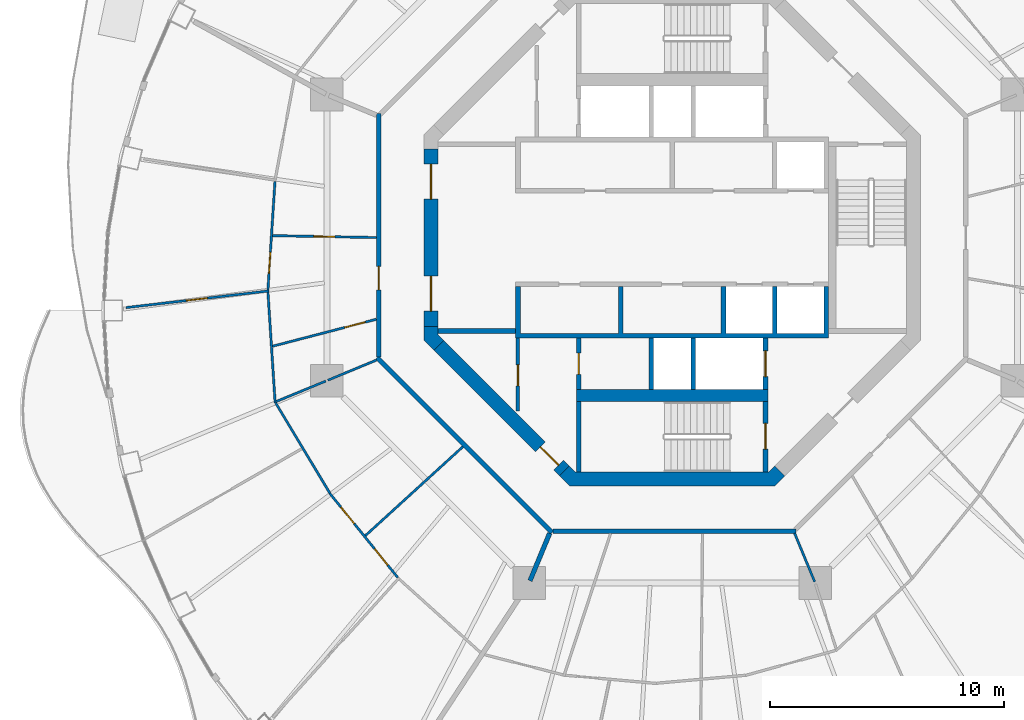
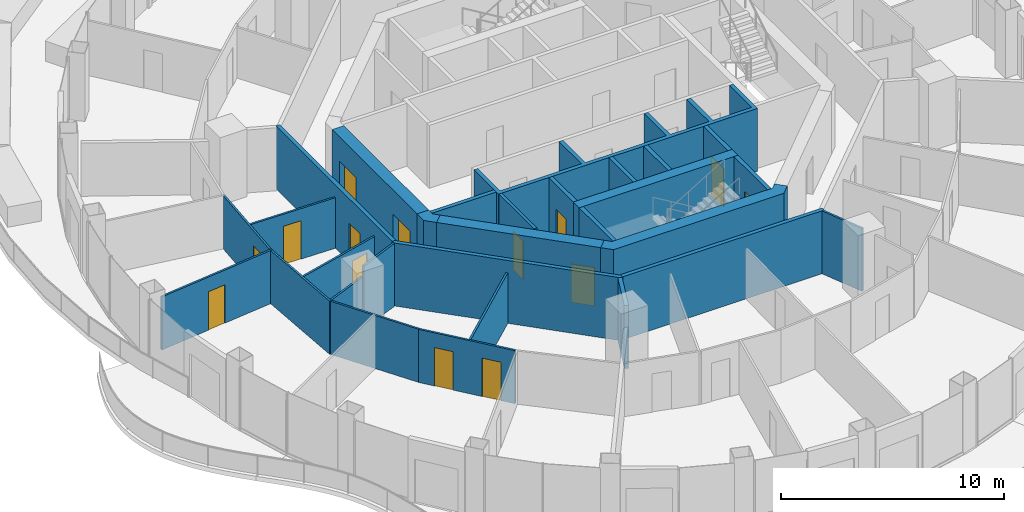
# One storey, part 10 of 17: 29 walls, 14 doors, 14 openings.
"""IFC4 building model written with IfcOpenShell, lengths in metres."""

from ifc_helpers import new_model, si_unit, direction, frame, frame_2d, origin, place, context, subcontext, project, spatial, polyline, rectangle, outline, extrude, material, layer, layer_set, type_object, element, fill, save


model = new_model("IFC4")

# Units and contexts
model_context = context("Model", 3, precision=1e-05, world=origin(), true_north=direction((0.0, 1.0)))
body_context = subcontext(model_context, "Body", "Model", "MODEL_VIEW")
ifc_project = project(units=[si_unit("LENGTHUNIT", "METRE"), si_unit("AREAUNIT", "SQUARE_METRE"), si_unit("VOLUMEUNIT", "CUBIC_METRE"), si_unit("PLANEANGLEUNIT", "RADIAN"), si_unit("MASSUNIT", "GRAM", prefix="KILO")], contexts=[model_context])

# Site, building, storey
site_placement = place(None, origin())
site = spatial("IfcSite", under=ifc_project, at=site_placement, CompositionType="ELEMENT")
building_placement = place(site_placement, origin())
building = spatial("IfcBuilding", under=site, at=building_placement, Name="Nagisa Residences", CompositionType="ELEMENT")
storey_placement = place(building_placement, frame((0.0, 0.0, 258.5)))
storey = spatial("IfcBuildingStorey", under=building, at=storey_placement, Name="L65", CompositionType="ELEMENT", Elevation=258.5)

# Wall
ifc_material_1 = material(Name="Gypsum board on steel studs", Category="steel")
ifc_layer_1 = layer(ifc_material_1, 0.199951171875)
ifc_layer_set_1 = layer_set([ifc_layer_1], Name="Apartment compartment wall EI60 200")
wall_type_1 = type_object("IfcWallType", Name="Apartment compartment wall EI60 200", PredefinedType="PARTITIONING", material=ifc_layer_set_1)
wall_1_placement = place(storey_placement, frame((-5.24267578125, -12.6572265625, 0.0), z_axis=(0.0, 0.0, 1.0), x_axis=(-0.382770106157, -0.923843626288, 0.0)))
element("IfcWall", 1, at=wall_1_placement, inside=storey, type_object=wall_type_1, Name="wall:L65:u04", PredefinedType="PARTITIONING", context=body_context, shape_type="SweptSolid", body=[
    extrude(rectangle(XDim=2.19921875, YDim=0.199951171875, at=frame_2d((1.099609375, 0.0))), origin(), (0.0, 0.0, 1.0), 3.43994140625),
])

# Wall, opening, door
ifc_material_2 = material(Name="Gypsum board on steel studs", Category="steel")
ifc_layer_2 = layer(ifc_material_2, 0.199951171875)
ifc_layer_set_2 = layer_set([ifc_layer_2], Name="Apartment entry wall EI60 200")
wall_type_2 = type_object("IfcWallType", Name="Apartment entry wall EI60 200", PredefinedType="PARTITIONING", material=ifc_layer_set_2)
wall_2_placement = place(storey_placement, frame((-12.564697265625, 5.304443359375, 0.0), z_axis=(0.0, 0.0, 1.0), x_axis=(0.0, -1.0, 0.0)))
wall_2 = element("IfcWall", 2, at=wall_2_placement, inside=storey, type_object=wall_type_2, Name="wall:L65:u12", PredefinedType="PARTITIONING", context=body_context, shape_type="SweptSolid", body=[
    extrude(rectangle(XDim=10.408935546875, YDim=0.199951171875, at=frame_2d((5.20458984375, 0.0))), origin(), (0.0, 0.0, 1.0), 3.43994140625),
])
opening_1_placement = place(wall_2_placement, frame((6.539306640625, 0.0, 0.0)))
opening_1 = element("IfcOpeningElement", 3, at=opening_1_placement, cuts=wall_2, Name="Opening L65-U18", PredefinedType="OPENING", context=body_context, shape_type="SweptSolid", body=[
    extrude(rectangle(XDim=1.0, YDim=2.10009765625, at=frame_2d((0.5, 1.050048828125))), frame((0.0, 0.10986328125, 0.0), z_axis=(0.0, -1.0, 0.0), x_axis=(1.0, 0.0, 0.0)), (0.0, 0.0, 1.0), 0.219970703125),
])
ifc_material_3 = material(Name="Timber fire door set", Category="wood")
door_type_1 = type_object("IfcDoorType", Name="Apartment entry door FD30S 1000x2100", OperationType="NOTDEFINED", PredefinedType="DOOR", material=ifc_material_3)
door_1_placement = place(opening_1_placement, frame((1.0, 0.0, 0.0), x_axis=(-1.0, 0.0, 0.0)))
door_1 = element("IfcDoor", 4, at=door_1_placement, inside=storey, type_object=door_type_1, Name="Entry door, Apartment 65C", OperationType="SINGLE_SWING_LEFT", OverallHeight=2.10009765625, OverallWidth=1.0, PredefinedType="DOOR", context=body_context, shape_type="SweptSolid", body=[
    extrude(rectangle(XDim=1.0, YDim=2.10009765625, at=frame_2d((0.5, 1.050048828125))), frame((0.0, 0.02490234375, 0.0), z_axis=(0.0, -1.0, 0.0), x_axis=(1.0, 0.0, 0.0)), (0.0, 0.0, 1.0), 0.050048828125),
])
fill(opening_1, door_1)

# Walls
wall_3_placement = place(storey_placement, frame((-12.635498046875, -5.1337890625, 0.0), z_axis=(0.0, 0.0, 1.0), x_axis=(0.707106781187, -0.707106781187, 0.0)))
element("IfcWall", 5, at=wall_3_placement, inside=storey, type_object=wall_type_2, Name="wall:L65:u13", PredefinedType="PARTITIONING", context=body_context, shape_type="SweptSolid", body=[
    extrude(rectangle(XDim=10.609130859375, YDim=0.199951171875, at=frame_2d((5.3046875, 0.0))), origin(), (0.0, 0.0, 1.0), 3.43994140625),
])
wall_4_placement = place(storey_placement, frame((-5.1044921875, -12.564697265625, 0.0), z_axis=(0.0, 0.0, 1.0), x_axis=(1.0, 0.0, 0.0)))
element("IfcWall", 6, at=wall_4_placement, inside=storey, type_object=wall_type_2, Name="wall:L65:u14", PredefinedType="PARTITIONING", context=body_context, shape_type="SweptSolid", body=[
    extrude(rectangle(XDim=10.408935546875, YDim=0.199951171875, at=frame_2d((5.20458984375, 0.0))), origin(), (0.0, 0.0, 1.0), 3.43994140625),
])

# Wall, opening, door
ifc_material_4 = material(Name="Gypsum board on steel studs", Category="steel")
ifc_layer_3 = layer(ifc_material_4, 0.10009765625)
ifc_layer_set_3 = layer_set([ifc_layer_3], Name="Apartment partition 100")
wall_type_3 = type_object("IfcWallType", Name="Apartment partition 100", PredefinedType="PARTITIONING", material=ifc_layer_set_3)
wall_5_placement = place(storey_placement, frame((-17.001708984375, 2.40869140625, 0.0), z_axis=(0.0, 0.0, 1.0), x_axis=(-0.064855550758, -0.997894662545, 0.0)))
wall_5 = element("IfcWall", 7, at=wall_5_placement, inside=storey, type_object=wall_type_3, Name="wall:L65:u41", PredefinedType="PARTITIONING", context=body_context, shape_type="SweptSolid", body=[
    extrude(rectangle(XDim=4.656494140625, YDim=0.10009765625, at=frame_2d((2.328125, 0.0))), origin(), (0.0, 0.0, 1.0), 2.905029296875),
])
opening_2_placement = place(wall_5_placement, frame((3.04248046875, 0.0, 0.0)))
opening_2 = element("IfcOpeningElement", 8, at=opening_2_placement, cuts=wall_5, Name="Opening L65-U22", PredefinedType="OPENING", context=body_context, shape_type="SweptSolid", body=[
    extrude(rectangle(XDim=0.89990234375, YDim=2.10009765625, at=frame_2d((0.449951171875, 1.050048828125))), frame((0.0, 0.06005859375, 0.0), z_axis=(0.0, -1.0, 0.0), x_axis=(1.0, 0.0, 0.0)), (0.0, 0.0, 1.0), 0.1201171875),
])
ifc_material_5 = material(Name="Timber door set", Category="wood")
door_type_2 = type_object("IfcDoorType", Name="Apartment door 900x2100", OperationType="NOTDEFINED", PredefinedType="DOOR", material=ifc_material_5)
door_2_placement = place(opening_2_placement, frame((0.89990234375, 0.0, 0.0), x_axis=(-1.0, 0.0, 0.0)))
door_2 = element("IfcDoor", 9, at=door_2_placement, inside=storey, type_object=door_type_2, Name="Door to kitchen, Apartment 65C", OperationType="SINGLE_SWING_LEFT", OverallHeight=2.10009765625, OverallWidth=0.89990234375, PredefinedType="DOOR", context=body_context, shape_type="SweptSolid", body=[
    extrude(rectangle(XDim=0.89990234375, YDim=2.10009765625, at=frame_2d((0.449951171875, 1.050048828125))), frame((0.0, 0.02490234375, 0.0), z_axis=(0.0, -1.0, 0.0), x_axis=(1.0, 0.0, 0.0)), (0.0, 0.0, 1.0), 0.050048828125),
])
fill(opening_2, door_2)

wall_6_placement = place(storey_placement, frame((-12.664794921875, 0.001953125, 0.0), z_axis=(0.0, 0.0, 1.0), x_axis=(-0.999827178165, 0.018590691287, 0.0)))
wall_6 = element("IfcWall", 10, at=wall_6_placement, inside=storey, type_object=wall_type_3, Name="wall:L65:u42", PredefinedType="PARTITIONING", context=body_context, shape_type="SweptSolid", body=[
    extrude(rectangle(XDim=4.438720703125, YDim=0.10009765625, at=frame_2d((2.21923828125, 0.0))), origin(), (0.0, 0.0, 1.0), 2.761962890625),
])
opening_3_placement = place(wall_6_placement, frame((1.769287109375, 0.0, 0.0)))
opening_3 = element("IfcOpeningElement", 11, at=opening_3_placement, cuts=wall_6, Name="Opening L65-U19", PredefinedType="OPENING", context=body_context, shape_type="SweptSolid", body=[
    extrude(rectangle(XDim=0.89990234375, YDim=2.10009765625, at=frame_2d((0.449951171875, 1.050048828125))), frame((0.0, 0.06005859375, 0.0), z_axis=(0.0, -1.0, 0.0), x_axis=(1.0, 0.0, 0.0)), (0.0, 0.0, 1.0), 0.1201171875),
])
door_3_placement = place(opening_3_placement, frame((0.89990234375, 0.0, 0.0), x_axis=(-1.0, 0.0, 0.0)))
door_3 = element("IfcDoor", 12, at=door_3_placement, inside=storey, type_object=door_type_2, Name="Door to laundry, Apartment 65C", OperationType="SINGLE_SWING_RIGHT", OverallHeight=2.10009765625, OverallWidth=0.89990234375, PredefinedType="DOOR", context=body_context, shape_type="SweptSolid", body=[
    extrude(rectangle(XDim=0.89990234375, YDim=2.10009765625, at=frame_2d((0.449951171875, 1.050048828125))), frame((0.0, 0.02490234375, 0.0), z_axis=(0.0, -1.0, 0.0), x_axis=(1.0, 0.0, 0.0)), (0.0, 0.0, 1.0), 0.050048828125),
])
fill(opening_3, door_3)

wall_7_placement = place(storey_placement, frame((-17.257080078125, -2.2822265625, 0.0), z_axis=(0.0, 0.0, 1.0), x_axis=(-0.993266024162, -0.11585596767, 0.0)))
wall_7 = element("IfcWall", 13, at=wall_7_placement, inside=storey, type_object=wall_type_3, Name="wall:L65:u43", PredefinedType="PARTITIONING", context=body_context, shape_type="SweptSolid", body=[
    extrude(rectangle(XDim=6.16796875, YDim=0.10009765625, at=frame_2d((3.083984375, 0.0))), origin(), (0.0, 0.0, 1.0), 2.905029296875),
])
opening_4_placement = place(wall_7_placement, frame((2.658935546875, 0.0, 0.0)))
opening_4 = element("IfcOpeningElement", 14, at=opening_4_placement, cuts=wall_7, Name="Opening L65-U23", PredefinedType="OPENING", context=body_context, shape_type="SweptSolid", body=[
    extrude(rectangle(XDim=0.89990234375, YDim=2.10009765625, at=frame_2d((0.449951171875, 1.050048828125))), frame((0.0, 0.06005859375, 0.0), z_axis=(0.0, -1.0, 0.0), x_axis=(1.0, 0.0, 0.0)), (0.0, 0.0, 1.0), 0.1201171875),
])
door_4_placement = place(opening_4_placement, origin())
door_4 = element("IfcDoor", 15, at=door_4_placement, inside=storey, type_object=door_type_2, Name="Door to dining room, Apartment 65C", OperationType="SINGLE_SWING_LEFT", OverallHeight=2.10009765625, OverallWidth=0.89990234375, PredefinedType="DOOR", context=body_context, shape_type="SweptSolid", body=[
    extrude(rectangle(XDim=0.89990234375, YDim=2.10009765625, at=frame_2d((0.449951171875, 1.050048828125))), frame((0.0, 0.02490234375, 0.0), z_axis=(0.0, -1.0, 0.0), x_axis=(1.0, 0.0, 0.0)), (0.0, 0.0, 1.0), 0.050048828125),
])
fill(opening_4, door_4)

# Wall
wall_8_placement = place(storey_placement, frame((-17.3037109375, -2.337890625, 0.0), z_axis=(0.0, 0.0, 1.0), x_axis=(0.065003615989, -0.997885028402, 0.0)))
element("IfcWall", 16, at=wall_8_placement, inside=storey, type_object=wall_type_3, Name="wall:L65:u44", PredefinedType="PARTITIONING", context=body_context, shape_type="SweptSolid", body=[
    extrude(rectangle(XDim=4.758544921875, YDim=0.10009765625, at=frame_2d((2.37939453125, 0.0))), origin(), (0.0, 0.0, 1.0), 2.905029296875),
])

# Wall, opening, door
wall_9_placement = place(storey_placement, frame((-12.66162109375, -3.494873046875, 0.0), z_axis=(0.0, 0.0, 1.0), x_axis=(-0.967834941053, -0.251586022817, 0.0)))
wall_9 = element("IfcWall", 17, at=wall_9_placement, inside=storey, type_object=wall_type_3, Name="wall:L65:u45", PredefinedType="PARTITIONING", context=body_context, shape_type="SweptSolid", body=[
    extrude(rectangle(XDim=4.590087890625, YDim=0.10009765625, at=frame_2d((2.294921875, 0.0))), origin(), (0.0, 0.0, 1.0), 2.761962890625),
])
opening_5_placement = place(wall_9_placement, frame((0.49951171875, 0.0, 0.0)))
opening_5 = element("IfcOpeningElement", 18, at=opening_5_placement, cuts=wall_9, Name="Opening L65-U20", PredefinedType="OPENING", context=body_context, shape_type="SweptSolid", body=[
    extrude(rectangle(XDim=0.89990234375, YDim=2.10009765625, at=frame_2d((0.449951171875, 1.050048828125))), frame((0.0, 0.06005859375, 0.0), z_axis=(0.0, -1.0, 0.0), x_axis=(1.0, 0.0, 0.0)), (0.0, 0.0, 1.0), 0.1201171875),
])
door_5_placement = place(opening_5_placement, origin())
door_5 = element("IfcDoor", 19, at=door_5_placement, inside=storey, type_object=door_type_2, Name="Door to family bathroom, Apartment 65C", OperationType="SINGLE_SWING_RIGHT", OverallHeight=2.10009765625, OverallWidth=0.89990234375, PredefinedType="DOOR", context=body_context, shape_type="SweptSolid", body=[
    extrude(rectangle(XDim=0.89990234375, YDim=2.10009765625, at=frame_2d((0.449951171875, 1.050048828125))), frame((0.0, 0.02490234375, 0.0), z_axis=(0.0, -1.0, 0.0), x_axis=(1.0, 0.0, 0.0)), (0.0, 0.0, 1.0), 0.050048828125),
])
fill(opening_5, door_5)

# Walls
wall_10_placement = place(storey_placement, frame((-12.6572265625, -5.24267578125, 0.0), z_axis=(0.0, 0.0, 1.0), x_axis=(-0.923864733477, -0.382719158442, 0.0)))
element("IfcWall", 20, at=wall_10_placement, inside=storey, type_object=wall_type_3, Name="wall:L65:u46", PredefinedType="PARTITIONING", context=body_context, shape_type="SweptSolid", body=[
    extrude(rectangle(XDim=2.25, YDim=0.10009765625, at=frame_2d((1.125, 0.0))), origin(), (0.0, 0.0, 1.0), 3.43994140625),
])
wall_11_placement = place(storey_placement, frame((-14.828369140625, -6.14208984375, 0.0), z_axis=(0.0, 0.0, 1.0), x_axis=(-0.924479819749, -0.381230983627, 0.0)))
element("IfcWall", 21, at=wall_11_placement, inside=storey, type_object=wall_type_3, Name="wall:L65:u47", PredefinedType="PARTITIONING", context=body_context, shape_type="SweptSolid", body=[
    extrude(rectangle(XDim=2.29638671875, YDim=0.10009765625, at=frame_2d((1.148193359375, 0.0))), origin(), (0.0, 0.0, 1.0), 2.905029296875),
])
wall_12_placement = place(storey_placement, frame((-16.971923828125, -7.07958984375, 0.0), z_axis=(0.0, 0.0, 1.0), x_axis=(0.514989049311, -0.857196756346, 0.0)))
element("IfcWall", 22, at=wall_12_placement, inside=storey, type_object=wall_type_3, Name="wall:L65:u48", PredefinedType="PARTITIONING", context=body_context, shape_type="SweptSolid", body=[
    extrude(rectangle(XDim=4.51171875, YDim=0.10009765625, at=frame_2d((2.255859375, 0.0))), origin(), (0.0, 0.0, 1.0), 2.905029296875),
])

# Wall, openings, doors
wall_13_placement = place(storey_placement, frame((-14.654052734375, -10.950927734375, 0.0), z_axis=(0.0, 0.0, 1.0), x_axis=(0.62815308134, -0.778089780426, 0.0)))
wall_13 = element("IfcWall", 23, at=wall_13_placement, inside=storey, type_object=wall_type_3, Name="wall:L65:u50", PredefinedType="PARTITIONING", context=body_context, shape_type="SweptSolid", body=[
    extrude(rectangle(XDim=4.632568359375, YDim=0.10009765625, at=frame_2d((2.31640625, 0.0))), origin(), (0.0, 0.0, 1.0), 2.905029296875),
])
opening_6_placement = place(wall_13_placement, frame((0.758056640625, 0.0, 0.0)))
opening_6 = element("IfcOpeningElement", 24, at=opening_6_placement, cuts=wall_13, Name="Opening L65-U26", PredefinedType="OPENING", context=body_context, shape_type="SweptSolid", body=[
    extrude(rectangle(XDim=0.89990234375, YDim=2.10009765625, at=frame_2d((0.449951171875, 1.050048828125))), frame((0.0, 0.06005859375, 0.0), z_axis=(0.0, -1.0, 0.0), x_axis=(1.0, 0.0, 0.0)), (0.0, 0.0, 1.0), 0.1201171875),
])
opening_7_placement = place(wall_13_placement, frame((3.04931640625, 0.0, 0.0)))
opening_7 = element("IfcOpeningElement", 25, at=opening_7_placement, cuts=wall_13, Name="Opening L65-U27", PredefinedType="OPENING", context=body_context, shape_type="SweptSolid", body=[
    extrude(rectangle(XDim=0.89990234375, YDim=2.10009765625, at=frame_2d((0.449951171875, 1.050048828125))), frame((0.0, 0.06005859375, 0.0), z_axis=(0.0, -1.0, 0.0), x_axis=(1.0, 0.0, 0.0)), (0.0, 0.0, 1.0), 0.1201171875),
])
door_6_placement = place(opening_6_placement, origin())
door_6 = element("IfcDoor", 26, at=door_6_placement, inside=storey, type_object=door_type_2, Name="Door to store, Apartment 65C", OperationType="SINGLE_SWING_RIGHT", OverallHeight=2.10009765625, OverallWidth=0.89990234375, PredefinedType="DOOR", context=body_context, shape_type="SweptSolid", body=[
    extrude(rectangle(XDim=0.89990234375, YDim=2.10009765625, at=frame_2d((0.449951171875, 1.050048828125))), frame((0.0, 0.02490234375, 0.0), z_axis=(0.0, -1.0, 0.0), x_axis=(1.0, 0.0, 0.0)), (0.0, 0.0, 1.0), 0.050048828125),
])
fill(opening_6, door_6)
door_7_placement = place(opening_7_placement, origin())
door_7 = element("IfcDoor", 27, at=door_7_placement, inside=storey, type_object=door_type_2, Name="Door to laundry, Apartment 65C", OperationType="SINGLE_SWING_LEFT", OverallHeight=2.10009765625, OverallWidth=0.89990234375, PredefinedType="DOOR", context=body_context, shape_type="SweptSolid", body=[
    extrude(rectangle(XDim=0.89990234375, YDim=2.10009765625, at=frame_2d((0.449951171875, 1.050048828125))), frame((0.0, 0.02490234375, 0.0), z_axis=(0.0, -1.0, 0.0), x_axis=(1.0, 0.0, 0.0)), (0.0, 0.0, 1.0), 0.050048828125),
])
fill(opening_7, door_7)

# Walls
wall_14_placement = place(storey_placement, frame((-8.95849609375, -8.9521484375, 0.0), z_axis=(0.0, 0.0, 1.0), x_axis=(-0.73876526954, -0.673962815385, 0.0)))
element("IfcWall", 28, at=wall_14_placement, inside=storey, type_object=wall_type_3, Name="wall:L65:u51", PredefinedType="PARTITIONING", context=body_context, shape_type="SweptSolid", body=[
    extrude(rectangle(XDim=5.6474609375, YDim=0.10009765625, at=frame_2d((2.82373046875, 0.0))), origin(), (0.0, 0.0, 1.0), 2.761962890625),
])
wall_15_placement = place(storey_placement, frame((5.24267578125, -12.6572265625, 0.0), z_axis=(0.0, 0.0, 1.0), x_axis=(0.382719158442, -0.923864733477, 0.0)))
element("IfcWall", 29, at=wall_15_placement, inside=storey, type_object=wall_type_3, Name="wall:L65:u61", PredefinedType="PARTITIONING", context=body_context, shape_type="SweptSolid", body=[
    extrude(rectangle(XDim=2.25, YDim=0.10009765625, at=frame_2d((1.125, 0.0))), origin(), (0.0, 0.0, 1.0), 3.43994140625),
])

# Wall, opening, door
ifc_material_6 = material(Name="Gypsum board on steel studs", Category="steel")
ifc_layer_4 = layer(ifc_material_6, 0.14990234375)
ifc_layer_set_4 = layer_set([ifc_layer_4], Name="Core partition 150")
wall_type_4 = type_object("IfcWallType", Name="Core partition 150", PredefinedType="PARTITIONING", material=ifc_layer_set_4)
wall_16_placement = place(storey_placement, frame((-6.60009765625, -7.427001953125, 0.0), z_axis=(0.0, 0.0, 1.0), x_axis=(0.0, 1.0, 0.0)))
wall_16 = element("IfcWall", 30, at=wall_16_placement, inside=storey, type_object=wall_type_4, Name="wall:L65:SWp", PredefinedType="PARTITIONING", context=body_context, shape_type="SweptSolid", body=[
    extrude(rectangle(XDim=3.126953125, YDim=0.14990234375, at=frame_2d((1.5634765625, 0.0))), origin(), (0.0, 0.0, 1.0), 3.43994140625),
])
opening_8_placement = place(wall_16_placement, frame((1.075927734375, 0.0, 0.0)))
opening_8 = element("IfcOpeningElement", 31, at=opening_8_placement, cuts=wall_16, Name="Opening L65-C11", PredefinedType="OPENING", context=body_context, shape_type="SweptSolid", body=[
    extrude(rectangle(XDim=0.89990234375, YDim=2.10009765625, at=frame_2d((0.449951171875, 1.050048828125))), frame((0.0, 0.0849609375, 0.0), z_axis=(0.0, -1.0, 0.0), x_axis=(1.0, 0.0, 0.0)), (0.0, 0.0, 1.0), 0.169921875),
])
ifc_material_7 = material(Name="Steel fire door", Category="steel")
door_type_3 = type_object("IfcDoorType", Name="Fire door EI30 900x2100 single swing", OperationType="NOTDEFINED", PredefinedType="DOOR", material=ifc_material_7)
door_8_placement = place(opening_8_placement, origin())
door_8 = element("IfcDoor", 32, at=door_8_placement, inside=storey, type_object=door_type_3, Name="Cleaner store door L65", OperationType="SINGLE_SWING_LEFT", OverallHeight=2.10009765625, OverallWidth=0.89990234375, PredefinedType="DOOR", context=body_context, shape_type="SweptSolid", body=[
    extrude(rectangle(XDim=0.89990234375, YDim=2.10009765625, at=frame_2d((0.449951171875, 1.050048828125))), frame((0.0, 0.02490234375, 0.0), z_axis=(0.0, -1.0, 0.0), x_axis=(1.0, 0.0, 0.0)), (0.0, 0.0, 1.0), 0.050048828125),
])
fill(opening_8, door_8)

# Wall
ifc_material_8 = material(Name="Gypsum board on steel studs", Category="steel")
ifc_layer_5 = layer(ifc_material_8, 0.199951171875)
ifc_layer_set_5 = layer_set([ifc_layer_5], Name="Core partition 200")
wall_type_5 = type_object("IfcWallType", Name="Core partition 200", PredefinedType="PARTITIONING", material=ifc_layer_set_5)
wall_17_placement = place(storey_placement, frame((-10.024658203125, -4.0, 0.0), z_axis=(0.0, 0.0, 1.0), x_axis=(1.0, 0.0, 0.0)))
element("IfcWall", 33, at=wall_17_placement, inside=storey, type_object=wall_type_5, Name="wall:L65:PSW", PredefinedType="PARTITIONING", context=body_context, shape_type="SweptSolid", body=[
    extrude(rectangle(XDim=3.32470703125, YDim=0.199951171875, at=frame_2d((1.662353515625, 0.0))), origin(), (0.0, 0.0, 1.0), 3.43994140625),
])

# Wall, openings, doors
ifc_material_9 = material(Name="Concrete C60", Category="concrete")
ifc_layer_6 = layer(ifc_material_9, 0.60009765625)
ifc_layer_set_6 = layer_set([ifc_layer_6], Name="Core shear wall 600")
wall_type_6 = type_object("IfcWallType", Name="Core shear wall 600", PredefinedType="SHEAR", material=ifc_layer_set_6)
wall_18_placement = place(storey_placement, frame((-10.32470703125, 3.80078125, 0.0), z_axis=(0.0, 0.0, 1.0), x_axis=(0.0, -1.0, 0.0)))
wall_18 = element("IfcWall", 34, at=wall_18_placement, inside=storey, type_object=wall_type_6, Name="wall:L65:core:flat4", PredefinedType="SHEAR", context=body_context, shape_type="SweptSolid", body=[
    extrude(rectangle(XDim=7.6015625, YDim=0.60009765625, at=frame_2d((3.80078125, 0.0))), origin(), (0.0, 0.0, 1.0), 3.43994140625),
])
opening_9_placement = place(wall_18_placement, frame((0.65087890625, 0.0, 0.0)))
opening_9 = element("IfcOpeningElement", 35, at=opening_9_placement, cuts=wall_18, Name="Opening L65-C19", PredefinedType="OPENING", context=body_context, shape_type="SweptSolid", body=[
    extrude(rectangle(XDim=1.5, YDim=2.10009765625, at=frame_2d((0.75, 1.050048828125))), frame((0.0, 0.31005859375, 0.0), z_axis=(0.0, -1.0, 0.0), x_axis=(1.0, 0.0, 0.0)), (0.0, 0.0, 1.0), 0.6201171875),
])
opening_10_placement = place(wall_18_placement, frame((5.450927734375, 0.0, 0.0)))
opening_10 = element("IfcOpeningElement", 36, at=opening_10_placement, cuts=wall_18, Name="Opening L65-C20", PredefinedType="OPENING", context=body_context, shape_type="SweptSolid", body=[
    extrude(rectangle(XDim=1.5, YDim=2.10009765625, at=frame_2d((0.75, 1.050048828125))), frame((0.0, 0.31005859375, 0.0), z_axis=(0.0, -1.0, 0.0), x_axis=(1.0, 0.0, 0.0)), (0.0, 0.0, 1.0), 0.6201171875),
])
ifc_material_10 = material(Name="Steel fire door", Category="steel")
door_type_4 = type_object("IfcDoorType", Name="Fire door EI60 1500x2100 double door single swing", OperationType="DOUBLE_DOOR_SINGLE_SWING", PredefinedType="DOOR", material=ifc_material_10)
door_9_placement = place(opening_9_placement, origin())
door_9 = element("IfcDoor", 37, at=door_9_placement, inside=storey, type_object=door_type_4, Name="Lift lobby door L65 1", OperationType="DOUBLE_DOOR_SINGLE_SWING", OverallHeight=2.10009765625, OverallWidth=1.5, PredefinedType="DOOR", context=body_context, shape_type="SweptSolid", body=[
    extrude(rectangle(XDim=1.5, YDim=2.10009765625, at=frame_2d((0.75, 1.050048828125))), frame((0.0, 0.02490234375, 0.0), z_axis=(0.0, -1.0, 0.0), x_axis=(1.0, 0.0, 0.0)), (0.0, 0.0, 1.0), 0.050048828125),
])
fill(opening_9, door_9)
door_10_placement = place(opening_10_placement, origin())
door_10 = element("IfcDoor", 38, at=door_10_placement, inside=storey, type_object=door_type_4, Name="Lift lobby door L65 2", OperationType="DOUBLE_DOOR_SINGLE_SWING", OverallHeight=2.10009765625, OverallWidth=1.5, PredefinedType="DOOR", context=body_context, shape_type="SweptSolid", body=[
    extrude(rectangle(XDim=1.5, YDim=2.10009765625, at=frame_2d((0.75, 1.050048828125))), frame((0.0, 0.02490234375, 0.0), z_axis=(0.0, -1.0, 0.0), x_axis=(1.0, 0.0, 0.0)), (0.0, 0.0, 1.0), 0.050048828125),
])
fill(opening_10, door_10)

# Wall, opening, door
wall_19_placement = place(storey_placement, frame((-9.98828125, -4.613037109375, 0.0), z_axis=(0.0, 0.0, 1.0), x_axis=(0.707106781187, -0.707106781187, 0.0)))
wall_19 = element("IfcWall", 39, at=wall_19_placement, inside=storey, type_object=wall_type_6, Name="wall:L65:core:flat5", PredefinedType="SHEAR", context=body_context, shape_type="SweptSolid", body=[
    extrude(rectangle(XDim=7.601806640625, YDim=0.60009765625, at=frame_2d((3.80078125, 0.0))), origin(), (0.0, 0.0, 1.0), 3.43994140625),
])
opening_11_placement = place(wall_19_placement, frame((6.15087890625, 0.0, 0.0)))
opening_11 = element("IfcOpeningElement", 40, at=opening_11_placement, cuts=wall_19, Name="Opening L65-C22", PredefinedType="OPENING", context=body_context, shape_type="SweptSolid", body=[
    extrude(rectangle(XDim=1.10009765625, YDim=2.10009765625, at=frame_2d((0.550048828125, 1.050048828125))), frame((0.0, 0.31005859375, 0.0), z_axis=(0.0, -1.0, 0.0), x_axis=(1.0, 0.0, 0.0)), (0.0, 0.0, 1.0), 0.6201171875),
])
ifc_material_11 = material(Name="Steel fire door", Category="steel")
door_type_5 = type_object("IfcDoorType", Name="Fire door EI60 1100x2100 single swing", OperationType="NOTDEFINED", PredefinedType="DOOR", material=ifc_material_11)
door_11_placement = place(opening_11_placement, origin())
door_11 = element("IfcDoor", 41, at=door_11_placement, inside=storey, type_object=door_type_5, Name="Housekeeping lobby door L65", OperationType="SINGLE_SWING_LEFT", OverallHeight=2.10009765625, OverallWidth=1.10009765625, PredefinedType="DOOR", context=body_context, shape_type="SweptSolid", body=[
    extrude(rectangle(XDim=1.10009765625, YDim=2.10009765625, at=frame_2d((0.550048828125, 1.050048828125))), frame((0.0, 0.02490234375, 0.0), z_axis=(0.0, -1.0, 0.0), x_axis=(1.0, 0.0, 0.0)), (0.0, 0.0, 1.0), 0.050048828125),
])
fill(opening_11, door_11)

# Walls
wall_20_placement = place(storey_placement, origin())
element("IfcWall", 42, at=wall_20_placement, inside=storey, type_object=wall_type_6, Name="wall:L65:core:pier4", PredefinedType="SHEAR", context=body_context, shape_type="SweptSolid", body=[
    extrude(outline(polyline([(-10.62451171875, -3.80078125), (-10.024658203125, -3.80078125), (-10.024658203125, -4.15234375), (-9.776123046875, -4.40087890625), (-10.200439453125, -4.8251953125), (-10.62451171875, -4.40087890625), (-10.62451171875, -3.80078125)])), origin(), (0.0, 0.0, 1.0), 3.43994140625),
])
wall_21_placement = place(storey_placement, origin())
element("IfcWall", 43, at=wall_21_placement, inside=storey, type_object=wall_type_6, Name="wall:L65:core:flat6", PredefinedType="SHEAR", context=body_context, shape_type="SweptSolid", body=[
    extrude(outline(polyline([(-4.15234375, -10.024658203125), (4.15234375, -10.024658203125), (4.40087890625, -9.776123046875), (4.8251953125, -10.200439453125), (4.40087890625, -10.62451171875), (-4.40087890625, -10.62451171875), (-4.8251953125, -10.200439453125), (-4.40087890625, -9.776123046875), (-4.15234375, -10.024658203125)])), origin(), (0.0, 0.0, 1.0), 3.43994140625),
])

# Wall, opening, door
ifc_material_12 = material(Name="Concrete C60", Category="concrete")
ifc_layer_7 = layer(ifc_material_12, 0.199951171875)
ifc_layer_set_7 = layer_set([ifc_layer_7], Name="Lift shaft wall 200")
wall_type_7 = type_object("IfcWallType", Name="Lift shaft wall 200", PredefinedType="SOLIDWALL", material=ifc_layer_set_7)
wall_22_placement = place(storey_placement, frame((4.0, -6.5, 0.0), z_axis=(0.0, 0.0, 1.0), x_axis=(0.0, 1.0, 0.0)))
wall_22 = element("IfcWall", 44, at=wall_22_placement, inside=storey, type_object=wall_type_7, Name="wall:L65:Sb3", PredefinedType="SOLIDWALL", context=body_context, shape_type="SweptSolid", body=[
    extrude(rectangle(XDim=2.199951171875, YDim=0.199951171875, at=frame_2d((1.10009765625, 0.0))), origin(), (0.0, 0.0, 1.0), 3.43994140625),
])
opening_12_placement = place(wall_22_placement, frame((0.550048828125, 0.0, 0.0)))
opening_12 = element("IfcOpeningElement", 45, at=opening_12_placement, cuts=wall_22, Name="Opening L65-C05", PredefinedType="OPENING", context=body_context, shape_type="SweptSolid", body=[
    extrude(rectangle(XDim=1.10009765625, YDim=2.10009765625, at=frame_2d((0.550048828125, 1.050048828125))), frame((0.0, 0.10986328125, 0.0), z_axis=(0.0, -1.0, 0.0), x_axis=(1.0, 0.0, 0.0)), (0.0, 0.0, 1.0), 0.219970703125),
])
ifc_material_13 = material(Name="Stainless steel", Category="steel")
door_type_6 = type_object("IfcDoorType", Name="Lift landing door 1100x2100", OperationType="DOUBLE_DOOR_SLIDING", PredefinedType="DOOR", material=ifc_material_13)
door_12_placement = place(opening_12_placement, origin())
door_12 = element("IfcDoor", 46, at=door_12_placement, inside=storey, type_object=door_type_6, Name="Landing door FL2 L65", OperationType="DOUBLE_DOOR_SLIDING", OverallHeight=2.10009765625, OverallWidth=1.10009765625, PredefinedType="DOOR", context=body_context, shape_type="SweptSolid", body=[
    extrude(rectangle(XDim=1.10009765625, YDim=2.10009765625, at=frame_2d((0.550048828125, 1.050048828125))), frame((0.0, 0.02490234375, 0.0), z_axis=(0.0, -1.0, 0.0), x_axis=(1.0, 0.0, 0.0)), (0.0, 0.0, 1.0), 0.050048828125),
])
fill(opening_12, door_12)

wall_23_placement = place(storey_placement, frame((-4.0, -6.5, 0.0), z_axis=(0.0, 0.0, 1.0), x_axis=(0.0, 1.0, 0.0)))
wall_23 = element("IfcWall", 47, at=wall_23_placement, inside=storey, type_object=wall_type_7, Name="wall:L65:Sb4", PredefinedType="SOLIDWALL", context=body_context, shape_type="SweptSolid", body=[
    extrude(rectangle(XDim=2.199951171875, YDim=0.199951171875, at=frame_2d((1.10009765625, 0.0))), origin(), (0.0, 0.0, 1.0), 3.43994140625),
])
opening_13_placement = place(wall_23_placement, frame((0.64990234375, 0.0, 0.0)))
opening_13 = element("IfcOpeningElement", 48, at=opening_13_placement, cuts=wall_23, Name="Opening L65-C12", PredefinedType="OPENING", context=body_context, shape_type="SweptSolid", body=[
    extrude(rectangle(XDim=0.89990234375, YDim=2.10009765625, at=frame_2d((0.449951171875, 1.050048828125))), frame((0.0, 0.10986328125, 0.0), z_axis=(0.0, -1.0, 0.0), x_axis=(1.0, 0.0, 0.0)), (0.0, 0.0, 1.0), 0.219970703125),
])
door_13_placement = place(opening_13_placement, frame((0.89990234375, 0.0, 0.0), x_axis=(-1.0, 0.0, 0.0)))
door_13 = element("IfcDoor", 49, at=door_13_placement, inside=storey, type_object=door_type_3, Name="Refuse room door L65", OperationType="SINGLE_SWING_RIGHT", OverallHeight=2.10009765625, OverallWidth=0.89990234375, PredefinedType="DOOR", context=body_context, shape_type="SweptSolid", body=[
    extrude(rectangle(XDim=0.89990234375, YDim=2.10009765625, at=frame_2d((0.449951171875, 1.050048828125))), frame((0.0, 0.02490234375, 0.0), z_axis=(0.0, -1.0, 0.0), x_axis=(1.0, 0.0, 0.0)), (0.0, 0.0, 1.0), 0.050048828125),
])
fill(opening_13, door_13)

# Walls
for number, where, z_axis, x_axis, name in (
    (50, (-0.89990234375, -6.5, 0.0), (0.0, 0.0, 1.0), (0.0, 1.0, 0.0), "wall:L65:Sb1"),
    (51, (0.89990234375, -6.5, 0.0), (0.0, 0.0, 1.0), (0.0, 1.0, 0.0), "wall:L65:Sb2"),
):
    element("IfcWall", number, at=place(storey_placement, frame(where, z_axis=z_axis, x_axis=x_axis)), inside=storey, type_object=wall_type_7, Name=name, PredefinedType="SOLIDWALL", context=body_context, shape_type="SweptSolid", body=[
        extrude(rectangle(XDim=2.199951171875, YDim=0.199951171875, at=frame_2d((1.10009765625, 0.0))), origin(), (0.0, 0.0, 1.0), 3.43994140625),
    ])
wall_24_placement = place(storey_placement, origin())
element("IfcWall", 52, at=wall_24_placement, inside=storey, type_object=wall_type_7, Name="wall:L65:Sback", PredefinedType="SOLIDWALL", context=body_context, shape_type="SweptSolid", body=[
    extrude(outline(polyline([(-6.699951171875, -2.10009765625), (-6.5, -2.10009765625), (-6.5, -4.10009765625), (-2.300048828125, -4.10009765625), (-2.300048828125, -2.10009765625), (-2.10009765625, -2.10009765625), (-2.10009765625, -4.10009765625), (2.10009765625, -4.10009765625), (2.10009765625, -2.10009765625), (2.300048828125, -2.10009765625), (2.300048828125, -4.10009765625), (4.300048828125, -4.10009765625), (4.300048828125, -2.10009765625), (4.5, -2.10009765625), (4.5, -4.10009765625), (6.5, -4.10009765625), (6.5, -2.10009765625), (6.699951171875, -2.10009765625), (6.699951171875, -4.300048828125), (-6.699951171875, -4.300048828125), (-6.699951171875, -2.10009765625)])), origin(), (0.0, 0.0, 1.0), 3.43994140625),
])

# Wall, opening, door
ifc_material_14 = material(Name="Concrete C60", Category="concrete")
ifc_layer_8 = layer(ifc_material_14, 0.199951171875)
ifc_layer_set_8 = layer_set([ifc_layer_8], Name="Stair enclosure wall 200")
wall_type_8 = type_object("IfcWallType", Name="Stair enclosure wall 200", PredefinedType="SOLIDWALL", material=ifc_layer_set_8)
wall_25_placement = place(storey_placement, frame((4.0, -10.024658203125, 0.0), z_axis=(0.0, 0.0, 1.0), x_axis=(0.0, 1.0, 0.0)))
wall_25 = element("IfcWall", 53, at=wall_25_placement, inside=storey, type_object=wall_type_8, Name="wall:L65:SS_e", PredefinedType="SOLIDWALL", context=body_context, shape_type="SweptSolid", body=[
    extrude(rectangle(XDim=3.0, YDim=0.199951171875, at=frame_2d((1.5, 0.0))), origin(), (0.0, 0.0, 1.0), 3.43994140625),
])
opening_14_placement = place(wall_25_placement, frame((0.974609375, 0.0, 0.0)))
opening_14 = element("IfcOpeningElement", 54, at=opening_14_placement, cuts=wall_25, Name="Opening L65-C09", PredefinedType="OPENING", context=body_context, shape_type="SweptSolid", body=[
    extrude(rectangle(XDim=1.10009765625, YDim=2.10009765625, at=frame_2d((0.550048828125, 1.050048828125))), frame((0.0, 0.10986328125, 0.0), z_axis=(0.0, -1.0, 0.0), x_axis=(1.0, 0.0, 0.0)), (0.0, 0.0, 1.0), 0.219970703125),
])
ifc_material_15 = material(Name="Steel fire door", Category="steel")
door_type_7 = type_object("IfcDoorType", Name="Fire door EI90 1100x2100 single swing", OperationType="NOTDEFINED", PredefinedType="DOOR", material=ifc_material_15)
door_14_placement = place(opening_14_placement, origin())
door_14 = element("IfcDoor", 55, at=door_14_placement, inside=storey, type_object=door_type_7, Name="Stair door ST-S L65", OperationType="SINGLE_SWING_LEFT", OverallHeight=2.10009765625, OverallWidth=1.10009765625, PredefinedType="DOOR", context=body_context, shape_type="SweptSolid", body=[
    extrude(rectangle(XDim=1.10009765625, YDim=2.10009765625, at=frame_2d((0.550048828125, 1.050048828125))), frame((0.0, 0.02490234375, 0.0), z_axis=(0.0, -1.0, 0.0), x_axis=(1.0, 0.0, 0.0)), (0.0, 0.0, 1.0), 0.050048828125),
])
fill(opening_14, door_14)

# Walls
wall_26_placement = place(storey_placement, origin())
element("IfcWall", 56, at=wall_26_placement, inside=storey, type_object=wall_type_8, Name="wall:L65:SS_w", PredefinedType="SOLIDWALL", context=body_context, shape_type="SweptSolid", body=[
    extrude(outline(polyline([(-3.89990234375, -10.024658203125), (-4.10009765625, -10.024658203125), (-4.10009765625, -7.024658203125), (-3.89990234375, -7.024658203125), (-3.89990234375, -10.024658203125)])), origin(), (0.0, 0.0, 1.0), 3.43994140625),
])
wall_27_placement = place(storey_placement, origin())
element("IfcWall", 57, at=wall_27_placement, inside=storey, type_object=wall_type_8, Name="wall:L65:SS_n", PredefinedType="SOLIDWALL", context=body_context, shape_type="SweptSolid", body=[
    extrude(outline(polyline([(4.10009765625, -7.024658203125), (-4.10009765625, -7.024658203125), (-4.10009765625, -6.5), (4.10009765625, -6.5), (4.10009765625, -7.024658203125)])), origin(), (0.0, 0.0, 1.0), 3.43994140625),
])

save(model, "model.ifc")
